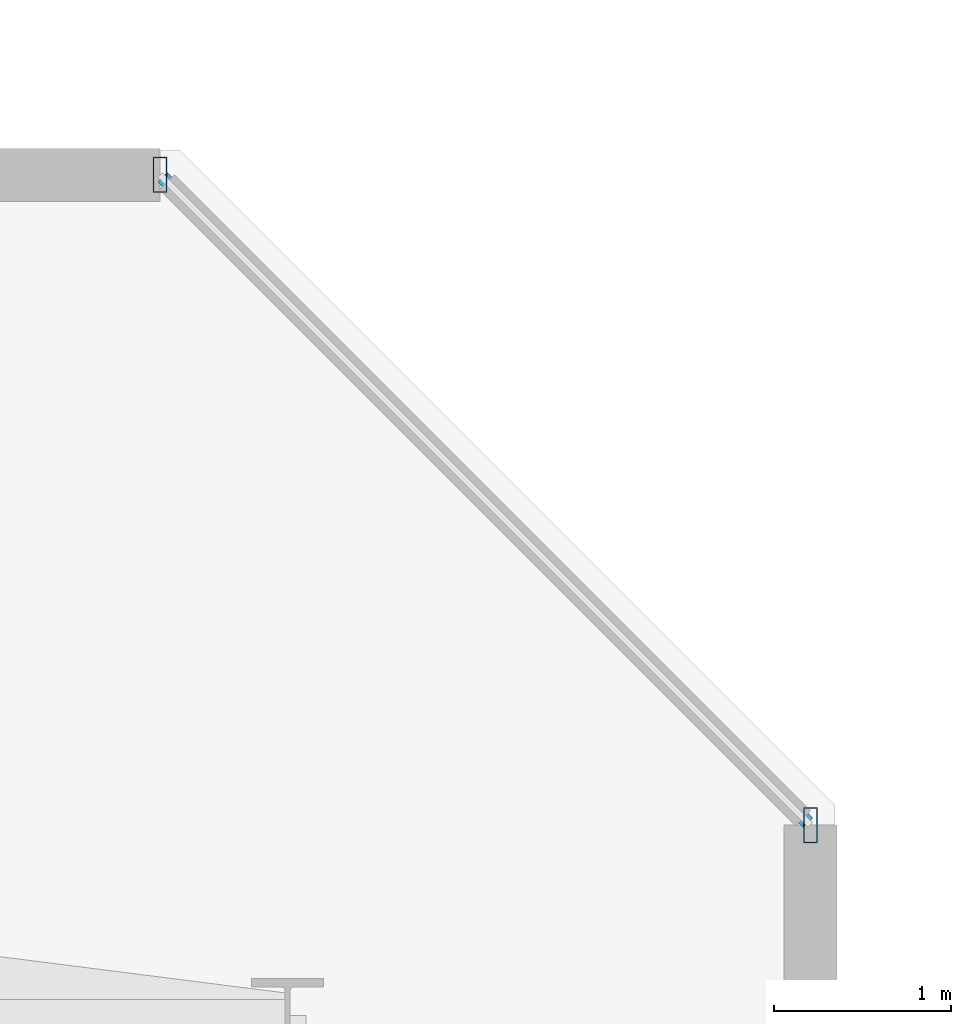
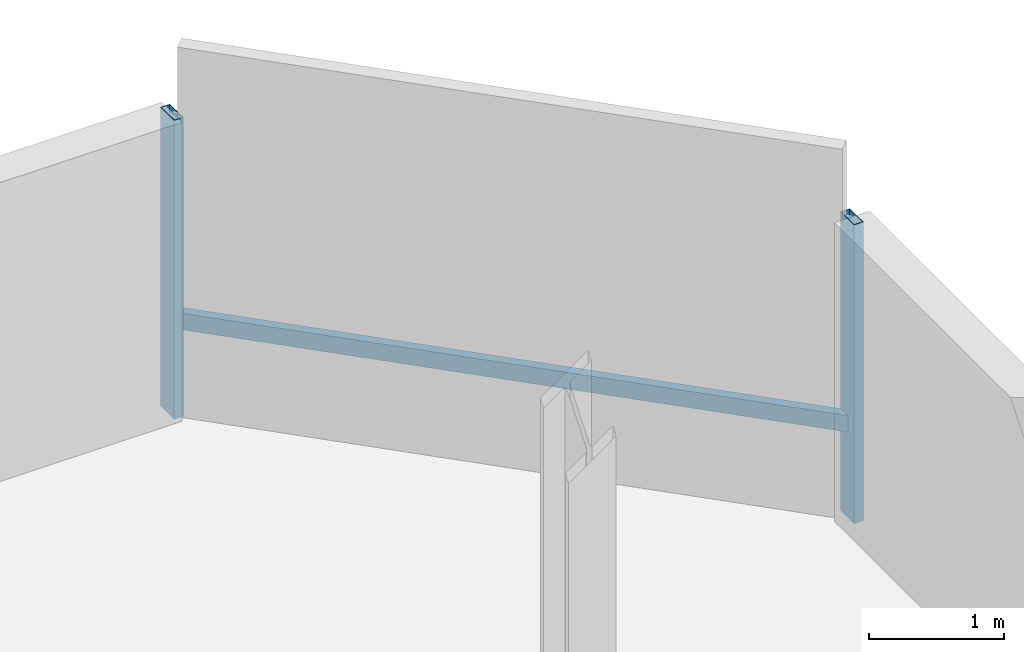
# One storey, part 10 of 32: 3 members, 1 element without a shape of its own.
"""IFC4 building model written with IfcOpenShell, lengths in metres."""

from ifc_helpers import new_model, si_unit, direction, frame, origin, origin_2d, place, context, subcontext, project, spatial, hollow_rectangle, extrude, material, material_profile, profile_set, type_object, element, aggregate, save


model = new_model("IFC4")

# Units and contexts
model_context = context("Model", 3, precision=1e-05, world=origin(), true_north=direction((0.0, 1.0)))
body_context = subcontext(model_context, "Body", "Model", "MODEL_VIEW")
ifc_project = project(units=[si_unit("LENGTHUNIT", "METRE"), si_unit("AREAUNIT", "SQUARE_METRE"), si_unit("VOLUMEUNIT", "CUBIC_METRE"), si_unit("PLANEANGLEUNIT", "RADIAN"), si_unit("MASSUNIT", "GRAM", prefix="KILO")], contexts=[model_context])

# Site, building, storey
site_placement = place(None, origin())
site = spatial("IfcSite", under=ifc_project, at=site_placement, CompositionType="ELEMENT")
building_placement = place(site_placement, origin())
building = spatial("IfcBuilding", under=site, at=building_placement, Name="Thornwick Lancets Civic Towers", CompositionType="ELEMENT")
storey_placement = place(building_placement, frame((0.0, 0.0, 156.300048828125)))
storey = spatial("IfcBuildingStorey", under=building, at=storey_placement, Name="L41", CompositionType="ELEMENT", Elevation=156.300048828125)

# Curtain wall, members
ifc_material_1 = material(Name="Mid-zone chamfered-corner unitised glass curtain wall", Category="glass")
curtain_wall_type = type_object("IfcCurtainWallType", Name="CW_SYS_04", PredefinedType="NOTDEFINED", material=ifc_material_1)
curtain_wall_placement = place(storey_placement, origin())
curtain_wall = element("IfcCurtainWall", 1, at=curtain_wall_placement, inside=storey, type_object=curtain_wall_type, Name="L41 Curtain Wall CW-L41-A-E3", PredefinedType="NOTDEFINED")
ifc_material_2 = material(Name="Thermally broken bronze aluminium S355", Category="steel")
ifc_material_profile_1 = material_profile(ifc_material_2, hollow_rectangle(XDim=0.080078125, YDim=0.199951171875, WallThickness=0.006103515625, at=origin_2d()), Name="RHS 200x80x6")
ifc_profile_set_1 = profile_set([ifc_material_profile_1], Name="Thermally broken bronze aluminium S355")
member_type_1 = type_object("IfcMemberType", Name="CW_MUL_200", PredefinedType="MULLION", material=ifc_profile_set_1)
member_1_placement = place(storey_placement, frame((49.260986328125, 41.07763671875, 0.0), z_axis=(0.0, 0.0, 1.0), x_axis=(1.0, 0.0, 0.0)))
member_1 = element("IfcMember", 2, at=member_1_placement, type_object=member_type_1, Name="CW-L41-A-E3 Mullion 0", PredefinedType="MULLION", context=body_context, shape_type="SweptSolid", body=[
    extrude(hollow_rectangle(XDim=0.080078125, YDim=0.199951171875, WallThickness=0.006103515625, at=origin_2d()), origin(), (0.0, 0.0, 1.0), 2.699951171875),
])
member_2_placement = place(storey_placement, frame((45.57763671875, 44.760986328125, 0.0), z_axis=(0.0, 0.0, 1.0), x_axis=(1.0, 0.0, 0.0)))
member_2 = element("IfcMember", 3, at=member_2_placement, type_object=member_type_1, Name="CW-L41-A-E3 Mullion 1", PredefinedType="MULLION", context=body_context, shape_type="SweptSolid", body=[
    extrude(hollow_rectangle(XDim=0.080078125, YDim=0.199951171875, WallThickness=0.006103515625, at=origin_2d()), origin(), (0.0, 0.0, 1.0), 2.699951171875),
])
ifc_material_profile_2 = material_profile(ifc_material_2, hollow_rectangle(XDim=0.074951171875, YDim=0.14990234375, WallThickness=0.0048828125, at=origin_2d()), Name="RHS 150x75x5")
ifc_profile_set_2 = profile_set([ifc_material_profile_2], Name="Thermally broken bronze aluminium S355")
member_type_2 = type_object("IfcMemberType", Name="CW_TRN_150", PredefinedType="USERDEFINED", material=ifc_profile_set_2)
member_3_placement = place(storey_placement, frame((49.246826171875, 41.091796875, 0.849853515625), z_axis=(-0.707106781187, 0.707106781187, 0.0), x_axis=(-0.707106781187, -0.707106781187, 0.0)))
member_3 = element("IfcMember", 4, at=member_3_placement, type_object=member_type_2, Name="CW-L41-A-E3 Transom 0", ObjectType="TRANSOM", PredefinedType="USERDEFINED", context=body_context, shape_type="SweptSolid", body=[
    extrude(hollow_rectangle(XDim=0.074951171875, YDim=0.14990234375, WallThickness=0.0048828125, at=origin_2d()), origin(), (0.0, 0.0, 1.0), 5.1689453125),
])
aggregate(curtain_wall, [member_1, member_2, member_3])

save(model, "model.ifc")
